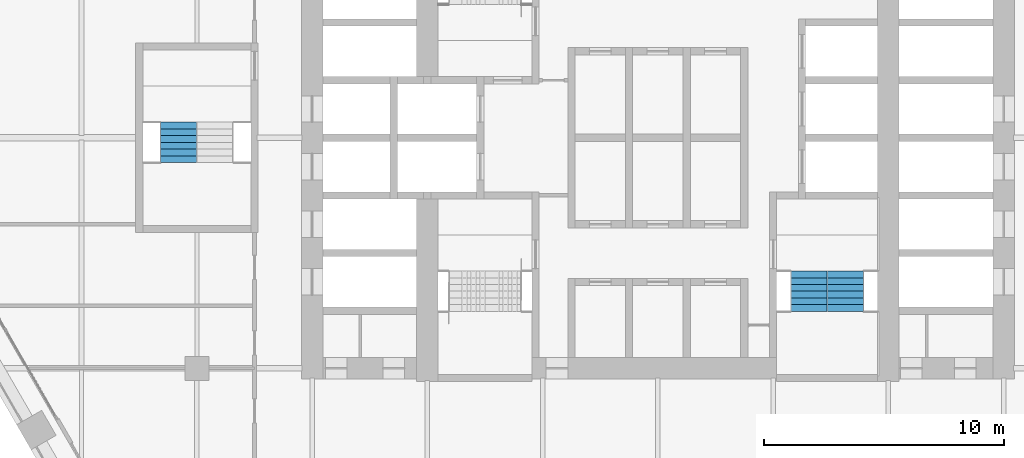
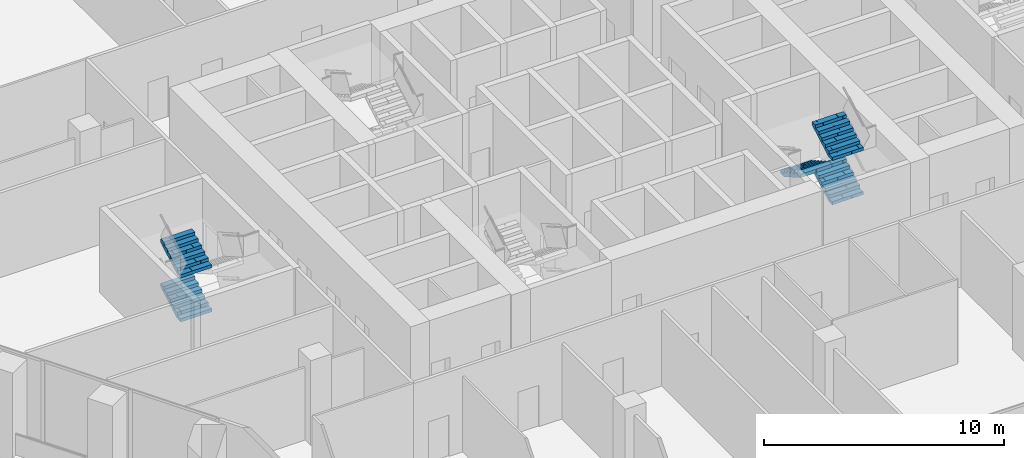
# One storey, part 21 of 26: 5 stair flights, 2 elements without a shape of their own.
"""IFC4 building model written with IfcOpenShell, lengths in metres."""

from ifc_helpers import new_model, si_unit, direction, frame, origin, place, context, subcontext, project, spatial, polyline, outline, extrude, material, type_object, element, aggregate, save


model = new_model("IFC4")

# Units and contexts
model_context = context("Model", 3, precision=1e-05, world=origin(), true_north=direction((0.0, 1.0)))
body_context = subcontext(model_context, "Body", "Model", "MODEL_VIEW")
ifc_project = project(units=[si_unit("LENGTHUNIT", "METRE"), si_unit("AREAUNIT", "SQUARE_METRE"), si_unit("VOLUMEUNIT", "CUBIC_METRE"), si_unit("PLANEANGLEUNIT", "RADIAN"), si_unit("MASSUNIT", "GRAM", prefix="KILO")], contexts=[model_context])

# Site, building, storey
site_placement = place(None, origin())
site = spatial("IfcSite", under=ifc_project, at=site_placement, CompositionType="ELEMENT")
building_placement = place(site_placement, origin())
building = spatial("IfcBuilding", under=site, at=building_placement, Name="Kolab Exchange Tower", CompositionType="ELEMENT")
storey_placement = place(building_placement, frame((0.0, 0.0, 104.89990234375)))
storey = spatial("IfcBuildingStorey", under=building, at=storey_placement, Name="L20", CompositionType="ELEMENT", Elevation=104.89990234375)

# Stair, stair flights
ifc_material = material(Name="Concrete C50/60", Category="concrete")
stair_type_1 = type_object("IfcStairType", Name="STAIR ST2 RISER 160.7", PredefinedType="DOUBLE_RETURN_STAIR", material=ifc_material)
stair_1_placement = place(storey_placement, origin())
stair_1 = element("IfcStair", 1, at=stair_1_placement, inside=storey, type_object=stair_type_1, Name="Stair 2", PredefinedType="DOUBLE_RETURN_STAIR")
stair_flight_type = type_object("IfcStairFlightType", Name="STAIR FLIGHT 1500 RISER 160.7", PredefinedType="STRAIGHT", material=ifc_material)
stair_flight_1_placement = place(storey_placement, frame((7.81005859375, -7.22998046875, 1.125), z_axis=(0.0, 0.0, 1.0), x_axis=(0.0, 1.0, 0.0)))
stair_flight_1 = element("IfcStairFlight", 2, at=stair_flight_1_placement, type_object=stair_flight_type, Name="ST2 flight 2", NumberOfRisers=7, NumberOfTreads=6, PredefinedType="STRAIGHT", RiserHeight=0.160714286, TreadLength=0.28, context=body_context, shape_type="SweptSolid", body=[
    extrude(outline(polyline([(0.0, 0.0), (0.0, 0.16064453125), (0.280029296875, 0.16064453125), (0.280029296875, 0.321533203125), (0.56005859375, 0.321533203125), (0.56005859375, 0.482177734375), (0.840087890625, 0.482177734375), (0.840087890625, 0.642822265625), (1.1201171875, 0.642822265625), (1.1201171875, 0.803466796875), (1.39990234375, 0.803466796875), (1.39990234375, 0.96435546875), (1.679931640625, 0.96435546875), (1.679931640625, 1.125), (1.679931640625, 0.79150390625), (0.301025390625, 0.0), (0.0, 0.0)])), frame((0.0, 0.75, 0.0), z_axis=(0.0, -1.0, 0.0), x_axis=(1.0, 0.0, 0.0)), (0.0, 0.0, 1.0), 0.185791015625),
    extrude(outline(polyline([(0.0, 0.0), (0.0, 0.16064453125), (0.280029296875, 0.16064453125), (0.280029296875, 0.321533203125), (0.56005859375, 0.321533203125), (0.56005859375, 0.482177734375), (0.840087890625, 0.482177734375), (0.840087890625, 0.642822265625), (1.1201171875, 0.642822265625), (1.1201171875, 0.803466796875), (1.39990234375, 0.803466796875), (1.39990234375, 0.96435546875), (1.679931640625, 0.96435546875), (1.679931640625, 1.125), (1.679931640625, 0.79150390625), (0.301025390625, 0.0), (0.0, 0.0)])), frame((0.0, 0.562255859375, 0.0), z_axis=(0.0, -1.0, 0.0), x_axis=(1.0, 0.0, 0.0)), (0.0, 0.0, 1.0), 0.185791015625),
    extrude(outline(polyline([(0.0, 0.0), (0.0, 0.16064453125), (0.280029296875, 0.16064453125), (0.280029296875, 0.321533203125), (0.56005859375, 0.321533203125), (0.56005859375, 0.482177734375), (0.840087890625, 0.482177734375), (0.840087890625, 0.642822265625), (1.1201171875, 0.642822265625), (1.1201171875, 0.803466796875), (1.39990234375, 0.803466796875), (1.39990234375, 0.96435546875), (1.679931640625, 0.96435546875), (1.679931640625, 1.125), (1.679931640625, 0.79150390625), (0.301025390625, 0.0), (0.0, 0.0)])), frame((0.0, 0.37451171875, 0.0), z_axis=(0.0, -1.0, 0.0), x_axis=(1.0, 0.0, 0.0)), (0.0, 0.0, 1.0), 0.185791015625),
    extrude(outline(polyline([(0.0, 0.0), (0.0, 0.16064453125), (0.280029296875, 0.16064453125), (0.280029296875, 0.321533203125), (0.56005859375, 0.321533203125), (0.56005859375, 0.482177734375), (0.840087890625, 0.482177734375), (0.840087890625, 0.642822265625), (1.1201171875, 0.642822265625), (1.1201171875, 0.803466796875), (1.39990234375, 0.803466796875), (1.39990234375, 0.96435546875), (1.679931640625, 0.96435546875), (1.679931640625, 1.125), (1.679931640625, 0.79150390625), (0.301025390625, 0.0), (0.0, 0.0)])), frame((0.0, 0.186767578125, 0.0), z_axis=(0.0, -1.0, 0.0), x_axis=(1.0, 0.0, 0.0)), (0.0, 0.0, 1.0), 0.185791015625),
    extrude(outline(polyline([(0.0, 0.0), (0.0, 0.16064453125), (0.280029296875, 0.16064453125), (0.280029296875, 0.321533203125), (0.56005859375, 0.321533203125), (0.56005859375, 0.482177734375), (0.840087890625, 0.482177734375), (0.840087890625, 0.642822265625), (1.1201171875, 0.642822265625), (1.1201171875, 0.803466796875), (1.39990234375, 0.803466796875), (1.39990234375, 0.96435546875), (1.679931640625, 0.96435546875), (1.679931640625, 1.125), (1.679931640625, 0.79150390625), (0.301025390625, 0.0), (0.0, 0.0)])), frame((0.0, -0.0009765625, 0.0), z_axis=(0.0, -1.0, 0.0), x_axis=(1.0, 0.0, 0.0)), (0.0, 0.0, 1.0), 0.185791015625),
    extrude(outline(polyline([(0.0, 0.0), (0.0, 0.16064453125), (0.280029296875, 0.16064453125), (0.280029296875, 0.321533203125), (0.56005859375, 0.321533203125), (0.56005859375, 0.482177734375), (0.840087890625, 0.482177734375), (0.840087890625, 0.642822265625), (1.1201171875, 0.642822265625), (1.1201171875, 0.803466796875), (1.39990234375, 0.803466796875), (1.39990234375, 0.96435546875), (1.679931640625, 0.96435546875), (1.679931640625, 1.125), (1.679931640625, 0.79150390625), (0.301025390625, 0.0), (0.0, 0.0)])), frame((0.0, -0.188720703125, 0.0), z_axis=(0.0, -1.0, 0.0), x_axis=(1.0, 0.0, 0.0)), (0.0, 0.0, 1.0), 0.185791015625),
    extrude(outline(polyline([(0.0, 0.0), (0.0, 0.16064453125), (0.280029296875, 0.16064453125), (0.280029296875, 0.321533203125), (0.56005859375, 0.321533203125), (0.56005859375, 0.482177734375), (0.840087890625, 0.482177734375), (0.840087890625, 0.642822265625), (1.1201171875, 0.642822265625), (1.1201171875, 0.803466796875), (1.39990234375, 0.803466796875), (1.39990234375, 0.96435546875), (1.679931640625, 0.96435546875), (1.679931640625, 1.125), (1.679931640625, 0.79150390625), (0.301025390625, 0.0), (0.0, 0.0)])), frame((0.0, -0.37646484375, 0.0), z_axis=(0.0, -1.0, 0.0), x_axis=(1.0, 0.0, 0.0)), (0.0, 0.0, 1.0), 0.185791015625),
    extrude(outline(polyline([(0.0, 0.0), (0.0, 0.16064453125), (0.280029296875, 0.16064453125), (0.280029296875, 0.321533203125), (0.56005859375, 0.321533203125), (0.56005859375, 0.482177734375), (0.840087890625, 0.482177734375), (0.840087890625, 0.642822265625), (1.1201171875, 0.642822265625), (1.1201171875, 0.803466796875), (1.39990234375, 0.803466796875), (1.39990234375, 0.96435546875), (1.679931640625, 0.96435546875), (1.679931640625, 1.125), (1.679931640625, 0.79150390625), (0.301025390625, 0.0), (0.0, 0.0)])), frame((0.0, -0.564208984375, 0.0), z_axis=(0.0, -1.0, 0.0), x_axis=(1.0, 0.0, 0.0)), (0.0, 0.0, 1.0), 0.185791015625),
])
stair_flight_2_placement = place(storey_placement, frame((6.2900390625, -5.550048828125, 2.25), z_axis=(0.0, 0.0, 1.0), x_axis=(0.0, -1.0, 0.0)))
stair_flight_2 = element("IfcStairFlight", 3, at=stair_flight_2_placement, type_object=stair_flight_type, Name="ST2 flight 3", NumberOfRisers=7, NumberOfTreads=6, PredefinedType="STRAIGHT", RiserHeight=0.160714286, TreadLength=0.28, context=body_context, shape_type="SweptSolid", body=[
    extrude(outline(polyline([(0.0, 0.0), (0.0, 0.16064453125), (0.280029296875, 0.16064453125), (0.280029296875, 0.321533203125), (0.56005859375, 0.321533203125), (0.56005859375, 0.482177734375), (0.840087890625, 0.482177734375), (0.840087890625, 0.642822265625), (1.1201171875, 0.642822265625), (1.1201171875, 0.803466796875), (1.39990234375, 0.803466796875), (1.39990234375, 0.96435546875), (1.679931640625, 0.96435546875), (1.679931640625, 1.125), (1.679931640625, 0.79150390625), (0.301025390625, 0.0), (0.0, 0.0)])), frame((0.0, 0.75, 0.0), z_axis=(0.0, -1.0, 0.0), x_axis=(1.0, 0.0, 0.0)), (0.0, 0.0, 1.0), 0.185791015625),
    extrude(outline(polyline([(0.0, 0.0), (0.0, 0.16064453125), (0.280029296875, 0.16064453125), (0.280029296875, 0.321533203125), (0.56005859375, 0.321533203125), (0.56005859375, 0.482177734375), (0.840087890625, 0.482177734375), (0.840087890625, 0.642822265625), (1.1201171875, 0.642822265625), (1.1201171875, 0.803466796875), (1.39990234375, 0.803466796875), (1.39990234375, 0.96435546875), (1.679931640625, 0.96435546875), (1.679931640625, 1.125), (1.679931640625, 0.79150390625), (0.301025390625, 0.0), (0.0, 0.0)])), frame((0.0, 0.562255859375, 0.0), z_axis=(0.0, -1.0, 0.0), x_axis=(1.0, 0.0, 0.0)), (0.0, 0.0, 1.0), 0.185791015625),
    extrude(outline(polyline([(0.0, 0.0), (0.0, 0.16064453125), (0.280029296875, 0.16064453125), (0.280029296875, 0.321533203125), (0.56005859375, 0.321533203125), (0.56005859375, 0.482177734375), (0.840087890625, 0.482177734375), (0.840087890625, 0.642822265625), (1.1201171875, 0.642822265625), (1.1201171875, 0.803466796875), (1.39990234375, 0.803466796875), (1.39990234375, 0.96435546875), (1.679931640625, 0.96435546875), (1.679931640625, 1.125), (1.679931640625, 0.79150390625), (0.301025390625, 0.0), (0.0, 0.0)])), frame((0.0, 0.37451171875, 0.0), z_axis=(0.0, -1.0, 0.0), x_axis=(1.0, 0.0, 0.0)), (0.0, 0.0, 1.0), 0.185791015625),
    extrude(outline(polyline([(0.0, 0.0), (0.0, 0.16064453125), (0.280029296875, 0.16064453125), (0.280029296875, 0.321533203125), (0.56005859375, 0.321533203125), (0.56005859375, 0.482177734375), (0.840087890625, 0.482177734375), (0.840087890625, 0.642822265625), (1.1201171875, 0.642822265625), (1.1201171875, 0.803466796875), (1.39990234375, 0.803466796875), (1.39990234375, 0.96435546875), (1.679931640625, 0.96435546875), (1.679931640625, 1.125), (1.679931640625, 0.79150390625), (0.301025390625, 0.0), (0.0, 0.0)])), frame((0.0, 0.186767578125, 0.0), z_axis=(0.0, -1.0, 0.0), x_axis=(1.0, 0.0, 0.0)), (0.0, 0.0, 1.0), 0.185791015625),
    extrude(outline(polyline([(0.0, 0.0), (0.0, 0.16064453125), (0.280029296875, 0.16064453125), (0.280029296875, 0.321533203125), (0.56005859375, 0.321533203125), (0.56005859375, 0.482177734375), (0.840087890625, 0.482177734375), (0.840087890625, 0.642822265625), (1.1201171875, 0.642822265625), (1.1201171875, 0.803466796875), (1.39990234375, 0.803466796875), (1.39990234375, 0.96435546875), (1.679931640625, 0.96435546875), (1.679931640625, 1.125), (1.679931640625, 0.79150390625), (0.301025390625, 0.0), (0.0, 0.0)])), frame((0.0, -0.0009765625, 0.0), z_axis=(0.0, -1.0, 0.0), x_axis=(1.0, 0.0, 0.0)), (0.0, 0.0, 1.0), 0.185791015625),
    extrude(outline(polyline([(0.0, 0.0), (0.0, 0.16064453125), (0.280029296875, 0.16064453125), (0.280029296875, 0.321533203125), (0.56005859375, 0.321533203125), (0.56005859375, 0.482177734375), (0.840087890625, 0.482177734375), (0.840087890625, 0.642822265625), (1.1201171875, 0.642822265625), (1.1201171875, 0.803466796875), (1.39990234375, 0.803466796875), (1.39990234375, 0.96435546875), (1.679931640625, 0.96435546875), (1.679931640625, 1.125), (1.679931640625, 0.79150390625), (0.301025390625, 0.0), (0.0, 0.0)])), frame((0.0, -0.188720703125, 0.0), z_axis=(0.0, -1.0, 0.0), x_axis=(1.0, 0.0, 0.0)), (0.0, 0.0, 1.0), 0.185791015625),
    extrude(outline(polyline([(0.0, 0.0), (0.0, 0.16064453125), (0.280029296875, 0.16064453125), (0.280029296875, 0.321533203125), (0.56005859375, 0.321533203125), (0.56005859375, 0.482177734375), (0.840087890625, 0.482177734375), (0.840087890625, 0.642822265625), (1.1201171875, 0.642822265625), (1.1201171875, 0.803466796875), (1.39990234375, 0.803466796875), (1.39990234375, 0.96435546875), (1.679931640625, 0.96435546875), (1.679931640625, 1.125), (1.679931640625, 0.79150390625), (0.301025390625, 0.0), (0.0, 0.0)])), frame((0.0, -0.37646484375, 0.0), z_axis=(0.0, -1.0, 0.0), x_axis=(1.0, 0.0, 0.0)), (0.0, 0.0, 1.0), 0.185791015625),
    extrude(outline(polyline([(0.0, 0.0), (0.0, 0.16064453125), (0.280029296875, 0.16064453125), (0.280029296875, 0.321533203125), (0.56005859375, 0.321533203125), (0.56005859375, 0.482177734375), (0.840087890625, 0.482177734375), (0.840087890625, 0.642822265625), (1.1201171875, 0.642822265625), (1.1201171875, 0.803466796875), (1.39990234375, 0.803466796875), (1.39990234375, 0.96435546875), (1.679931640625, 0.96435546875), (1.679931640625, 1.125), (1.679931640625, 0.79150390625), (0.301025390625, 0.0), (0.0, 0.0)])), frame((0.0, -0.564208984375, 0.0), z_axis=(0.0, -1.0, 0.0), x_axis=(1.0, 0.0, 0.0)), (0.0, 0.0, 1.0), 0.185791015625),
])
stair_flight_3_placement = place(storey_placement, frame((7.81005859375, -7.22998046875, 3.375), z_axis=(0.0, 0.0, 1.0), x_axis=(0.0, 1.0, 0.0)))
stair_flight_3 = element("IfcStairFlight", 4, at=stair_flight_3_placement, type_object=stair_flight_type, Name="ST2 flight 4", NumberOfRisers=7, NumberOfTreads=6, PredefinedType="STRAIGHT", RiserHeight=0.160714286, TreadLength=0.28, context=body_context, shape_type="SweptSolid", body=[
    extrude(outline(polyline([(0.0, 0.0), (0.0, 0.16064453125), (0.280029296875, 0.16064453125), (0.280029296875, 0.321533203125), (0.56005859375, 0.321533203125), (0.56005859375, 0.482177734375), (0.840087890625, 0.482177734375), (0.840087890625, 0.642822265625), (1.1201171875, 0.642822265625), (1.1201171875, 0.803466796875), (1.39990234375, 0.803466796875), (1.39990234375, 0.96435546875), (1.679931640625, 0.96435546875), (1.679931640625, 1.125), (1.679931640625, 0.79150390625), (0.301025390625, 0.0), (0.0, 0.0)])), frame((0.0, 0.75, 0.0), z_axis=(0.0, -1.0, 0.0), x_axis=(1.0, 0.0, 0.0)), (0.0, 0.0, 1.0), 0.185791015625),
    extrude(outline(polyline([(0.0, 0.0), (0.0, 0.16064453125), (0.280029296875, 0.16064453125), (0.280029296875, 0.321533203125), (0.56005859375, 0.321533203125), (0.56005859375, 0.482177734375), (0.840087890625, 0.482177734375), (0.840087890625, 0.642822265625), (1.1201171875, 0.642822265625), (1.1201171875, 0.803466796875), (1.39990234375, 0.803466796875), (1.39990234375, 0.96435546875), (1.679931640625, 0.96435546875), (1.679931640625, 1.125), (1.679931640625, 0.79150390625), (0.301025390625, 0.0), (0.0, 0.0)])), frame((0.0, 0.562255859375, 0.0), z_axis=(0.0, -1.0, 0.0), x_axis=(1.0, 0.0, 0.0)), (0.0, 0.0, 1.0), 0.185791015625),
    extrude(outline(polyline([(0.0, 0.0), (0.0, 0.16064453125), (0.280029296875, 0.16064453125), (0.280029296875, 0.321533203125), (0.56005859375, 0.321533203125), (0.56005859375, 0.482177734375), (0.840087890625, 0.482177734375), (0.840087890625, 0.642822265625), (1.1201171875, 0.642822265625), (1.1201171875, 0.803466796875), (1.39990234375, 0.803466796875), (1.39990234375, 0.96435546875), (1.679931640625, 0.96435546875), (1.679931640625, 1.125), (1.679931640625, 0.79150390625), (0.301025390625, 0.0), (0.0, 0.0)])), frame((0.0, 0.37451171875, 0.0), z_axis=(0.0, -1.0, 0.0), x_axis=(1.0, 0.0, 0.0)), (0.0, 0.0, 1.0), 0.185791015625),
    extrude(outline(polyline([(0.0, 0.0), (0.0, 0.16064453125), (0.280029296875, 0.16064453125), (0.280029296875, 0.321533203125), (0.56005859375, 0.321533203125), (0.56005859375, 0.482177734375), (0.840087890625, 0.482177734375), (0.840087890625, 0.642822265625), (1.1201171875, 0.642822265625), (1.1201171875, 0.803466796875), (1.39990234375, 0.803466796875), (1.39990234375, 0.96435546875), (1.679931640625, 0.96435546875), (1.679931640625, 1.125), (1.679931640625, 0.79150390625), (0.301025390625, 0.0), (0.0, 0.0)])), frame((0.0, 0.186767578125, 0.0), z_axis=(0.0, -1.0, 0.0), x_axis=(1.0, 0.0, 0.0)), (0.0, 0.0, 1.0), 0.185791015625),
    extrude(outline(polyline([(0.0, 0.0), (0.0, 0.16064453125), (0.280029296875, 0.16064453125), (0.280029296875, 0.321533203125), (0.56005859375, 0.321533203125), (0.56005859375, 0.482177734375), (0.840087890625, 0.482177734375), (0.840087890625, 0.642822265625), (1.1201171875, 0.642822265625), (1.1201171875, 0.803466796875), (1.39990234375, 0.803466796875), (1.39990234375, 0.96435546875), (1.679931640625, 0.96435546875), (1.679931640625, 1.125), (1.679931640625, 0.79150390625), (0.301025390625, 0.0), (0.0, 0.0)])), frame((0.0, -0.0009765625, 0.0), z_axis=(0.0, -1.0, 0.0), x_axis=(1.0, 0.0, 0.0)), (0.0, 0.0, 1.0), 0.185791015625),
    extrude(outline(polyline([(0.0, 0.0), (0.0, 0.16064453125), (0.280029296875, 0.16064453125), (0.280029296875, 0.321533203125), (0.56005859375, 0.321533203125), (0.56005859375, 0.482177734375), (0.840087890625, 0.482177734375), (0.840087890625, 0.642822265625), (1.1201171875, 0.642822265625), (1.1201171875, 0.803466796875), (1.39990234375, 0.803466796875), (1.39990234375, 0.96435546875), (1.679931640625, 0.96435546875), (1.679931640625, 1.125), (1.679931640625, 0.79150390625), (0.301025390625, 0.0), (0.0, 0.0)])), frame((0.0, -0.188720703125, 0.0), z_axis=(0.0, -1.0, 0.0), x_axis=(1.0, 0.0, 0.0)), (0.0, 0.0, 1.0), 0.185791015625),
    extrude(outline(polyline([(0.0, 0.0), (0.0, 0.16064453125), (0.280029296875, 0.16064453125), (0.280029296875, 0.321533203125), (0.56005859375, 0.321533203125), (0.56005859375, 0.482177734375), (0.840087890625, 0.482177734375), (0.840087890625, 0.642822265625), (1.1201171875, 0.642822265625), (1.1201171875, 0.803466796875), (1.39990234375, 0.803466796875), (1.39990234375, 0.96435546875), (1.679931640625, 0.96435546875), (1.679931640625, 1.125), (1.679931640625, 0.79150390625), (0.301025390625, 0.0), (0.0, 0.0)])), frame((0.0, -0.37646484375, 0.0), z_axis=(0.0, -1.0, 0.0), x_axis=(1.0, 0.0, 0.0)), (0.0, 0.0, 1.0), 0.185791015625),
    extrude(outline(polyline([(0.0, 0.0), (0.0, 0.16064453125), (0.280029296875, 0.16064453125), (0.280029296875, 0.321533203125), (0.56005859375, 0.321533203125), (0.56005859375, 0.482177734375), (0.840087890625, 0.482177734375), (0.840087890625, 0.642822265625), (1.1201171875, 0.642822265625), (1.1201171875, 0.803466796875), (1.39990234375, 0.803466796875), (1.39990234375, 0.96435546875), (1.679931640625, 0.96435546875), (1.679931640625, 1.125), (1.679931640625, 0.79150390625), (0.301025390625, 0.0), (0.0, 0.0)])), frame((0.0, -0.564208984375, 0.0), z_axis=(0.0, -1.0, 0.0), x_axis=(1.0, 0.0, 0.0)), (0.0, 0.0, 1.0), 0.185791015625),
])
aggregate(stair_1, [stair_flight_1, stair_flight_2, stair_flight_3])

stair_type_2 = type_object("IfcStairType", Name="STAIR ST5 RISER 160.7", PredefinedType="DOUBLE_RETURN_STAIR", material=ifc_material)
stair_2_placement = place(storey_placement, origin())
stair_2 = element("IfcStair", 5, at=stair_2_placement, inside=storey, type_object=stair_type_2, Name="Stair 5", PredefinedType="DOUBLE_RETURN_STAIR")
stair_flight_4_placement = place(storey_placement, frame((-19.9599609375, -1.030029296875, 1.125), z_axis=(0.0, 0.0, 1.0), x_axis=(0.0, 1.0, 0.0)))
stair_flight_4 = element("IfcStairFlight", 6, at=stair_flight_4_placement, type_object=stair_flight_type, Name="ST5 flight 2", NumberOfRisers=7, NumberOfTreads=6, PredefinedType="STRAIGHT", RiserHeight=0.160714286, TreadLength=0.28, context=body_context, shape_type="SweptSolid", body=[
    extrude(outline(polyline([(0.0, 0.0), (0.0, 0.16064453125), (0.280029296875, 0.16064453125), (0.280029296875, 0.321533203125), (0.56005859375, 0.321533203125), (0.56005859375, 0.482177734375), (0.840087890625, 0.482177734375), (0.840087890625, 0.642822265625), (1.1201171875, 0.642822265625), (1.1201171875, 0.803466796875), (1.39990234375, 0.803466796875), (1.39990234375, 0.96435546875), (1.679931640625, 0.96435546875), (1.679931640625, 1.125), (1.679931640625, 0.79150390625), (0.301025390625, 0.0), (0.0, 0.0)])), frame((0.0, 0.75, 0.0), z_axis=(0.0, -1.0, 0.0), x_axis=(1.0, 0.0, 0.0)), (0.0, 0.0, 1.0), 0.185791015625),
    extrude(outline(polyline([(0.0, 0.0), (0.0, 0.16064453125), (0.280029296875, 0.16064453125), (0.280029296875, 0.321533203125), (0.56005859375, 0.321533203125), (0.56005859375, 0.482177734375), (0.840087890625, 0.482177734375), (0.840087890625, 0.642822265625), (1.1201171875, 0.642822265625), (1.1201171875, 0.803466796875), (1.39990234375, 0.803466796875), (1.39990234375, 0.96435546875), (1.679931640625, 0.96435546875), (1.679931640625, 1.125), (1.679931640625, 0.79150390625), (0.301025390625, 0.0), (0.0, 0.0)])), frame((0.0, 0.562255859375, 0.0), z_axis=(0.0, -1.0, 0.0), x_axis=(1.0, 0.0, 0.0)), (0.0, 0.0, 1.0), 0.185791015625),
    extrude(outline(polyline([(0.0, 0.0), (0.0, 0.16064453125), (0.280029296875, 0.16064453125), (0.280029296875, 0.321533203125), (0.56005859375, 0.321533203125), (0.56005859375, 0.482177734375), (0.840087890625, 0.482177734375), (0.840087890625, 0.642822265625), (1.1201171875, 0.642822265625), (1.1201171875, 0.803466796875), (1.39990234375, 0.803466796875), (1.39990234375, 0.96435546875), (1.679931640625, 0.96435546875), (1.679931640625, 1.125), (1.679931640625, 0.79150390625), (0.301025390625, 0.0), (0.0, 0.0)])), frame((0.0, 0.37451171875, 0.0), z_axis=(0.0, -1.0, 0.0), x_axis=(1.0, 0.0, 0.0)), (0.0, 0.0, 1.0), 0.185791015625),
    extrude(outline(polyline([(0.0, 0.0), (0.0, 0.16064453125), (0.280029296875, 0.16064453125), (0.280029296875, 0.321533203125), (0.56005859375, 0.321533203125), (0.56005859375, 0.482177734375), (0.840087890625, 0.482177734375), (0.840087890625, 0.642822265625), (1.1201171875, 0.642822265625), (1.1201171875, 0.803466796875), (1.39990234375, 0.803466796875), (1.39990234375, 0.96435546875), (1.679931640625, 0.96435546875), (1.679931640625, 1.125), (1.679931640625, 0.79150390625), (0.301025390625, 0.0), (0.0, 0.0)])), frame((0.0, 0.186767578125, 0.0), z_axis=(0.0, -1.0, 0.0), x_axis=(1.0, 0.0, 0.0)), (0.0, 0.0, 1.0), 0.185791015625),
    extrude(outline(polyline([(0.0, 0.0), (0.0, 0.16064453125), (0.280029296875, 0.16064453125), (0.280029296875, 0.321533203125), (0.56005859375, 0.321533203125), (0.56005859375, 0.482177734375), (0.840087890625, 0.482177734375), (0.840087890625, 0.642822265625), (1.1201171875, 0.642822265625), (1.1201171875, 0.803466796875), (1.39990234375, 0.803466796875), (1.39990234375, 0.96435546875), (1.679931640625, 0.96435546875), (1.679931640625, 1.125), (1.679931640625, 0.79150390625), (0.301025390625, 0.0), (0.0, 0.0)])), frame((0.0, -0.0009765625, 0.0), z_axis=(0.0, -1.0, 0.0), x_axis=(1.0, 0.0, 0.0)), (0.0, 0.0, 1.0), 0.185791015625),
    extrude(outline(polyline([(0.0, 0.0), (0.0, 0.16064453125), (0.280029296875, 0.16064453125), (0.280029296875, 0.321533203125), (0.56005859375, 0.321533203125), (0.56005859375, 0.482177734375), (0.840087890625, 0.482177734375), (0.840087890625, 0.642822265625), (1.1201171875, 0.642822265625), (1.1201171875, 0.803466796875), (1.39990234375, 0.803466796875), (1.39990234375, 0.96435546875), (1.679931640625, 0.96435546875), (1.679931640625, 1.125), (1.679931640625, 0.79150390625), (0.301025390625, 0.0), (0.0, 0.0)])), frame((0.0, -0.188720703125, 0.0), z_axis=(0.0, -1.0, 0.0), x_axis=(1.0, 0.0, 0.0)), (0.0, 0.0, 1.0), 0.185791015625),
    extrude(outline(polyline([(0.0, 0.0), (0.0, 0.16064453125), (0.280029296875, 0.16064453125), (0.280029296875, 0.321533203125), (0.56005859375, 0.321533203125), (0.56005859375, 0.482177734375), (0.840087890625, 0.482177734375), (0.840087890625, 0.642822265625), (1.1201171875, 0.642822265625), (1.1201171875, 0.803466796875), (1.39990234375, 0.803466796875), (1.39990234375, 0.96435546875), (1.679931640625, 0.96435546875), (1.679931640625, 1.125), (1.679931640625, 0.79150390625), (0.301025390625, 0.0), (0.0, 0.0)])), frame((0.0, -0.37646484375, 0.0), z_axis=(0.0, -1.0, 0.0), x_axis=(1.0, 0.0, 0.0)), (0.0, 0.0, 1.0), 0.185791015625),
    extrude(outline(polyline([(0.0, 0.0), (0.0, 0.16064453125), (0.280029296875, 0.16064453125), (0.280029296875, 0.321533203125), (0.56005859375, 0.321533203125), (0.56005859375, 0.482177734375), (0.840087890625, 0.482177734375), (0.840087890625, 0.642822265625), (1.1201171875, 0.642822265625), (1.1201171875, 0.803466796875), (1.39990234375, 0.803466796875), (1.39990234375, 0.96435546875), (1.679931640625, 0.96435546875), (1.679931640625, 1.125), (1.679931640625, 0.79150390625), (0.301025390625, 0.0), (0.0, 0.0)])), frame((0.0, -0.564208984375, 0.0), z_axis=(0.0, -1.0, 0.0), x_axis=(1.0, 0.0, 0.0)), (0.0, 0.0, 1.0), 0.185791015625),
])
stair_flight_5_placement = place(storey_placement, frame((-19.9599609375, -1.030029296875, 3.375), z_axis=(0.0, 0.0, 1.0), x_axis=(0.0, 1.0, 0.0)))
stair_flight_5 = element("IfcStairFlight", 7, at=stair_flight_5_placement, type_object=stair_flight_type, Name="ST5 flight 4", NumberOfRisers=7, NumberOfTreads=6, PredefinedType="STRAIGHT", RiserHeight=0.160714286, TreadLength=0.28, context=body_context, shape_type="SweptSolid", body=[
    extrude(outline(polyline([(0.0, 0.0), (0.0, 0.16064453125), (0.280029296875, 0.16064453125), (0.280029296875, 0.321533203125), (0.56005859375, 0.321533203125), (0.56005859375, 0.482177734375), (0.840087890625, 0.482177734375), (0.840087890625, 0.642822265625), (1.1201171875, 0.642822265625), (1.1201171875, 0.803466796875), (1.39990234375, 0.803466796875), (1.39990234375, 0.96435546875), (1.679931640625, 0.96435546875), (1.679931640625, 1.125), (1.679931640625, 0.79150390625), (0.301025390625, 0.0), (0.0, 0.0)])), frame((0.0, 0.75, 0.0), z_axis=(0.0, -1.0, 0.0), x_axis=(1.0, 0.0, 0.0)), (0.0, 0.0, 1.0), 0.185791015625),
    extrude(outline(polyline([(0.0, 0.0), (0.0, 0.16064453125), (0.280029296875, 0.16064453125), (0.280029296875, 0.321533203125), (0.56005859375, 0.321533203125), (0.56005859375, 0.482177734375), (0.840087890625, 0.482177734375), (0.840087890625, 0.642822265625), (1.1201171875, 0.642822265625), (1.1201171875, 0.803466796875), (1.39990234375, 0.803466796875), (1.39990234375, 0.96435546875), (1.679931640625, 0.96435546875), (1.679931640625, 1.125), (1.679931640625, 0.79150390625), (0.301025390625, 0.0), (0.0, 0.0)])), frame((0.0, 0.562255859375, 0.0), z_axis=(0.0, -1.0, 0.0), x_axis=(1.0, 0.0, 0.0)), (0.0, 0.0, 1.0), 0.185791015625),
    extrude(outline(polyline([(0.0, 0.0), (0.0, 0.16064453125), (0.280029296875, 0.16064453125), (0.280029296875, 0.321533203125), (0.56005859375, 0.321533203125), (0.56005859375, 0.482177734375), (0.840087890625, 0.482177734375), (0.840087890625, 0.642822265625), (1.1201171875, 0.642822265625), (1.1201171875, 0.803466796875), (1.39990234375, 0.803466796875), (1.39990234375, 0.96435546875), (1.679931640625, 0.96435546875), (1.679931640625, 1.125), (1.679931640625, 0.79150390625), (0.301025390625, 0.0), (0.0, 0.0)])), frame((0.0, 0.37451171875, 0.0), z_axis=(0.0, -1.0, 0.0), x_axis=(1.0, 0.0, 0.0)), (0.0, 0.0, 1.0), 0.185791015625),
    extrude(outline(polyline([(0.0, 0.0), (0.0, 0.16064453125), (0.280029296875, 0.16064453125), (0.280029296875, 0.321533203125), (0.56005859375, 0.321533203125), (0.56005859375, 0.482177734375), (0.840087890625, 0.482177734375), (0.840087890625, 0.642822265625), (1.1201171875, 0.642822265625), (1.1201171875, 0.803466796875), (1.39990234375, 0.803466796875), (1.39990234375, 0.96435546875), (1.679931640625, 0.96435546875), (1.679931640625, 1.125), (1.679931640625, 0.79150390625), (0.301025390625, 0.0), (0.0, 0.0)])), frame((0.0, 0.186767578125, 0.0), z_axis=(0.0, -1.0, 0.0), x_axis=(1.0, 0.0, 0.0)), (0.0, 0.0, 1.0), 0.185791015625),
    extrude(outline(polyline([(0.0, 0.0), (0.0, 0.16064453125), (0.280029296875, 0.16064453125), (0.280029296875, 0.321533203125), (0.56005859375, 0.321533203125), (0.56005859375, 0.482177734375), (0.840087890625, 0.482177734375), (0.840087890625, 0.642822265625), (1.1201171875, 0.642822265625), (1.1201171875, 0.803466796875), (1.39990234375, 0.803466796875), (1.39990234375, 0.96435546875), (1.679931640625, 0.96435546875), (1.679931640625, 1.125), (1.679931640625, 0.79150390625), (0.301025390625, 0.0), (0.0, 0.0)])), frame((0.0, -0.0009765625, 0.0), z_axis=(0.0, -1.0, 0.0), x_axis=(1.0, 0.0, 0.0)), (0.0, 0.0, 1.0), 0.185791015625),
    extrude(outline(polyline([(0.0, 0.0), (0.0, 0.16064453125), (0.280029296875, 0.16064453125), (0.280029296875, 0.321533203125), (0.56005859375, 0.321533203125), (0.56005859375, 0.482177734375), (0.840087890625, 0.482177734375), (0.840087890625, 0.642822265625), (1.1201171875, 0.642822265625), (1.1201171875, 0.803466796875), (1.39990234375, 0.803466796875), (1.39990234375, 0.96435546875), (1.679931640625, 0.96435546875), (1.679931640625, 1.125), (1.679931640625, 0.79150390625), (0.301025390625, 0.0), (0.0, 0.0)])), frame((0.0, -0.188720703125, 0.0), z_axis=(0.0, -1.0, 0.0), x_axis=(1.0, 0.0, 0.0)), (0.0, 0.0, 1.0), 0.185791015625),
    extrude(outline(polyline([(0.0, 0.0), (0.0, 0.16064453125), (0.280029296875, 0.16064453125), (0.280029296875, 0.321533203125), (0.56005859375, 0.321533203125), (0.56005859375, 0.482177734375), (0.840087890625, 0.482177734375), (0.840087890625, 0.642822265625), (1.1201171875, 0.642822265625), (1.1201171875, 0.803466796875), (1.39990234375, 0.803466796875), (1.39990234375, 0.96435546875), (1.679931640625, 0.96435546875), (1.679931640625, 1.125), (1.679931640625, 0.79150390625), (0.301025390625, 0.0), (0.0, 0.0)])), frame((0.0, -0.37646484375, 0.0), z_axis=(0.0, -1.0, 0.0), x_axis=(1.0, 0.0, 0.0)), (0.0, 0.0, 1.0), 0.185791015625),
    extrude(outline(polyline([(0.0, 0.0), (0.0, 0.16064453125), (0.280029296875, 0.16064453125), (0.280029296875, 0.321533203125), (0.56005859375, 0.321533203125), (0.56005859375, 0.482177734375), (0.840087890625, 0.482177734375), (0.840087890625, 0.642822265625), (1.1201171875, 0.642822265625), (1.1201171875, 0.803466796875), (1.39990234375, 0.803466796875), (1.39990234375, 0.96435546875), (1.679931640625, 0.96435546875), (1.679931640625, 1.125), (1.679931640625, 0.79150390625), (0.301025390625, 0.0), (0.0, 0.0)])), frame((0.0, -0.564208984375, 0.0), z_axis=(0.0, -1.0, 0.0), x_axis=(1.0, 0.0, 0.0)), (0.0, 0.0, 1.0), 0.185791015625),
])
aggregate(stair_2, [stair_flight_4, stair_flight_5])

save(model, "model.ifc")
